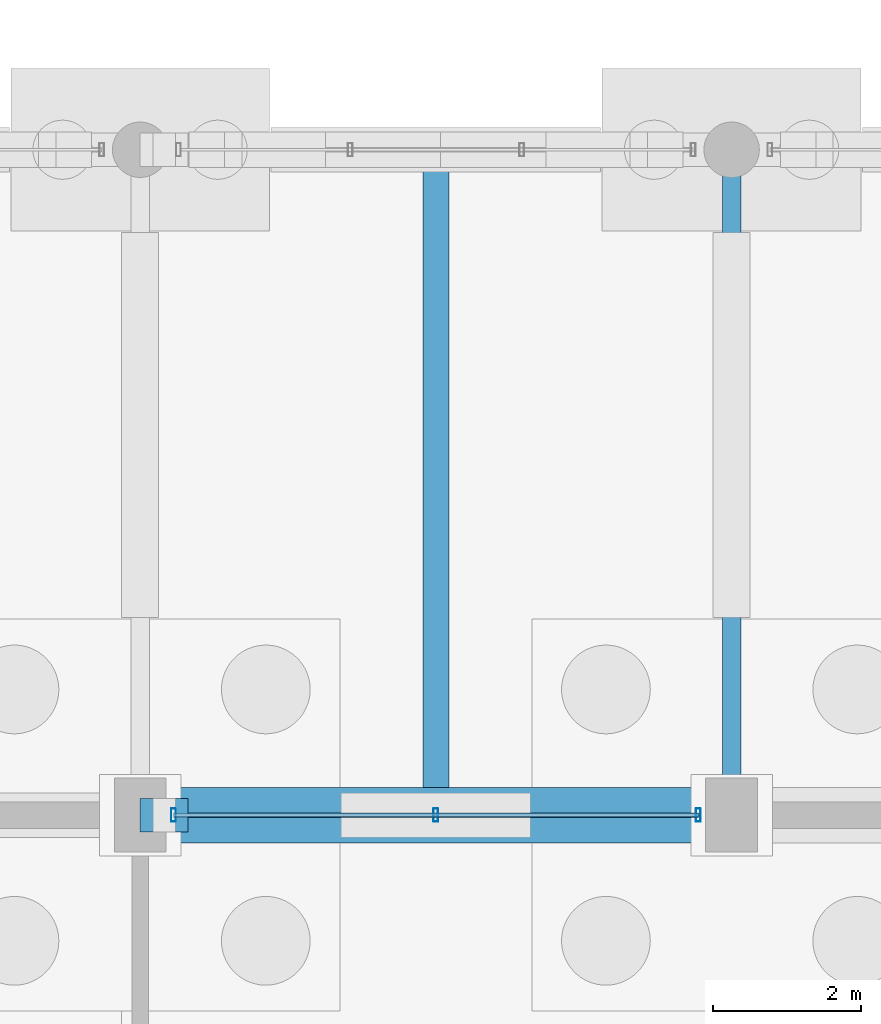
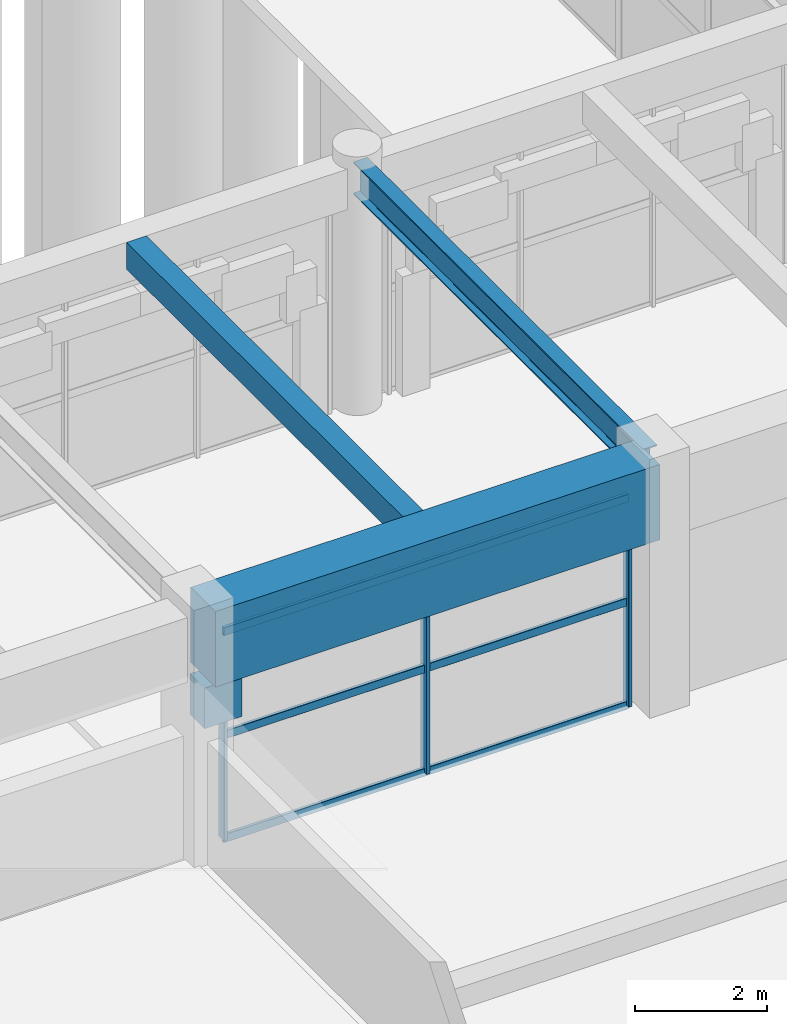
# One storey, part 59 of 147: 6 members, 4 beams, 1 element without a shape of its own.
"""IFC4 building model written with IfcOpenShell, lengths in metres."""

from ifc_helpers import new_model, si_unit, direction, frame, origin, origin_2d, place, context, subcontext, project, spatial, rectangle, hollow_rectangle, i_section, extrude, material, material_profile, profile_set, type_object, element, aggregate, save


model = new_model("IFC4")

# Units and contexts
model_context = context("Model", 3, precision=1e-05, world=origin(), true_north=direction((0.0, 1.0)))
body_context = subcontext(model_context, "Body", "Model", "MODEL_VIEW")
ifc_project = project(units=[si_unit("LENGTHUNIT", "METRE"), si_unit("AREAUNIT", "SQUARE_METRE"), si_unit("VOLUMEUNIT", "CUBIC_METRE"), si_unit("PLANEANGLEUNIT", "RADIAN"), si_unit("MASSUNIT", "GRAM", prefix="KILO")], contexts=[model_context])

# Site, building, storey
site_placement = place(None, origin())
site = spatial("IfcSite", under=ifc_project, at=site_placement, CompositionType="ELEMENT")
building_placement = place(site_placement, origin())
building = spatial("IfcBuilding", under=site, at=building_placement, Name="Varnabhumi Central Station", CompositionType="ELEMENT")
storey_placement = place(building_placement, origin())
storey = spatial("IfcBuildingStorey", under=building, at=storey_placement, Name="L00", CompositionType="ELEMENT", Elevation=0.0)

# Beams
ifc_material_1 = material(Name="Concrete M50", Category="concrete")
ifc_material_profile_1 = material_profile(ifc_material_1, rectangle(XDim=0.75, YDim=1.39990234375, at=origin_2d()), Name="Concrete M50", Category="concrete")
ifc_profile_set_1 = profile_set([ifc_material_profile_1], Name="Concrete M50")
beam_type_1 = type_object("IfcBeamType", Name="BM-RC-1400x750", PredefinedType="BEAM", material=ifc_profile_set_1)
beam_1_placement = place(storey_placement, frame((64.10009765625, 80.0, 3.85009765625), z_axis=(1.0, 0.0, 0.0), x_axis=(0.0, 1.0, 0.0)))
element("IfcBeam", 1, at=beam_1_placement, inside=storey, type_object=beam_type_1, Name="Beam L00-K:9-10", PredefinedType="BEAM", context=body_context, shape_type="SweptSolid", body=[
    extrude(rectangle(XDim=0.75, YDim=1.39990234375, at=origin_2d()), origin(), (0.0, 0.0, 1.0), 7.7998046875),
])
ifc_material_2 = material(Name="Concrete M40", Category="concrete")
ifc_material_profile_2 = material_profile(ifc_material_2, rectangle(XDim=0.35009765625, YDim=0.5, at=origin_2d()), Name="Concrete M40", Category="concrete")
ifc_profile_set_2 = profile_set([ifc_material_profile_2], Name="Concrete M40")
beam_type_2 = type_object("IfcBeamType", Name="BM-RC-350x500", PredefinedType="JOIST", material=ifc_profile_set_2)
beam_2_placement = place(storey_placement, frame((68.0, 80.375, 4.300048828125), z_axis=(0.0, 1.0, 0.0), x_axis=(-1.0, 0.0, 0.0)))
element("IfcBeam", 2, at=beam_2_placement, inside=storey, type_object=beam_type_2, Name="Secondary Joist L00-9/10:K-L", PredefinedType="JOIST", context=body_context, shape_type="SweptSolid", body=[
    extrude(rectangle(XDim=0.35009765625, YDim=0.5, at=origin_2d()), origin(), (0.0, 0.0, 1.0), 8.39990234375),
])
ifc_material_profile_3 = material_profile(ifc_material_2, rectangle(XDim=0.449951171875, YDim=0.75, at=origin_2d()), Name="Concrete M40", Category="concrete")
ifc_profile_set_3 = profile_set([ifc_material_profile_3], Name="Concrete M40")
beam_type_3 = type_object("IfcBeamType", Name="BM-RC-450x750", PredefinedType="BEAM", material=ifc_profile_set_3)
beam_3_placement = place(storey_placement, frame((64.0, 80.0, 2.695068359375), z_axis=(1.0, 0.0, 0.0), x_axis=(0.0, 1.0, 0.0)))
element("IfcBeam", 3, at=beam_3_placement, inside=storey, type_object=beam_type_3, Name="Movement Joint 650mm Corbel Seat L00-K-9", PredefinedType="BEAM", context=body_context, shape_type="SweptSolid", body=[
    extrude(rectangle(XDim=0.449951171875, YDim=0.75, at=origin_2d()), origin(), (0.0, 0.0, 1.0), 0.64990234375),
])
ifc_material_3 = material(Name="Structural steel E350", Category="steel")
ifc_material_profile_4 = material_profile(ifc_material_3, i_section(OverallWidth=0.25, OverallDepth=0.60009765625, WebThickness=0.01171875, FlangeThickness=0.023681640625, FilletRadius=0.01708984375, at=origin_2d()), Name="Structural steel E350", Category="steel")
ifc_profile_set_4 = profile_set([ifc_material_profile_4], Name="Structural steel E350")
beam_type_4 = type_object("IfcBeamType", Name="BM-SEC-ISWB600", PredefinedType="BEAM", material=ifc_profile_set_4)
beam_4_placement = place(storey_placement, frame((72.0, 80.10009765625, 4.25), z_axis=(0.0, 1.0, 0.0), x_axis=(-1.0, 0.0, 0.0)))
element("IfcBeam", 4, at=beam_4_placement, inside=storey, type_object=beam_type_4, Name="Beam L00-10:K-L", PredefinedType="BEAM", context=body_context, shape_type="SweptSolid", body=[
    extrude(i_section(OverallWidth=0.25, OverallDepth=0.60009765625, WebThickness=0.01171875, FlangeThickness=0.023681640625, FilletRadius=0.01708984375, at=origin_2d()), origin(), (0.0, 0.0, 1.0), 8.7998046875),
])

# Curtain wall, members
ifc_material_4 = material(Name="Anodised aluminium 6063-T6", Category="aluminium")
curtain_wall_type = type_object("IfcCurtainWallType", Name="CW-SPINE-SCREEN-L0", PredefinedType="NOTDEFINED", material=ifc_material_4)
curtain_wall_placement = place(storey_placement, origin())
curtain_wall = element("IfcCurtainWall", 5, at=curtain_wall_placement, inside=storey, type_object=curtain_wall_type, Name="Curtain Wall CW-NS008", PredefinedType="NOTDEFINED")
ifc_material_profile_5 = material_profile(ifc_material_4, hollow_rectangle(XDim=0.06494140625, YDim=0.179931640625, WallThickness=0.00390625, InnerFilletRadius=0.001953125, OuterFilletRadius=0.006103515625, at=origin_2d()), Name="Anodised aluminium 6063-T6", Category="aluminium")
ifc_profile_set_5 = profile_set([ifc_material_profile_5], Name="Anodised aluminium 6063-T6")
member_type_1 = type_object("IfcMemberType", Name="CW-MUL-180", PredefinedType="MULLION", material=ifc_profile_set_5)
member_1_placement = place(storey_placement, frame((64.449951171875, 80.0, 0.0), z_axis=(0.0, 0.0, 1.0), x_axis=(1.0, 0.0, 0.0)))
member_1 = element("IfcMember", 6, at=member_1_placement, type_object=member_type_1, Name="Curtain Wall Mullion CW-NS008-M1", PredefinedType="MULLION", context=body_context, shape_type="SweptSolid", body=[
    extrude(hollow_rectangle(XDim=0.06494140625, YDim=0.179931640625, WallThickness=0.00390625, InnerFilletRadius=0.001953125, OuterFilletRadius=0.006103515625, at=origin_2d()), origin(), (0.0, 0.0, 1.0), 3.840087890625),
])
member_2_placement = place(storey_placement, frame((68.0, 80.0, 0.0), z_axis=(0.0, 0.0, 1.0), x_axis=(1.0, 0.0, 0.0)))
member_2 = element("IfcMember", 7, at=member_2_placement, type_object=member_type_1, Name="Curtain Wall Mullion CW-NS008-M2", PredefinedType="MULLION", context=body_context, shape_type="SweptSolid", body=[
    extrude(hollow_rectangle(XDim=0.06494140625, YDim=0.179931640625, WallThickness=0.00390625, InnerFilletRadius=0.001953125, OuterFilletRadius=0.006103515625, at=origin_2d()), origin(), (0.0, 0.0, 1.0), 3.840087890625),
])
member_3_placement = place(storey_placement, frame((71.550048828125, 80.0, 0.0), z_axis=(0.0, 0.0, 1.0), x_axis=(1.0, 0.0, 0.0)))
member_3 = element("IfcMember", 8, at=member_3_placement, type_object=member_type_1, Name="Curtain Wall Mullion CW-NS008-M3", PredefinedType="MULLION", context=body_context, shape_type="SweptSolid", body=[
    extrude(hollow_rectangle(XDim=0.06494140625, YDim=0.179931640625, WallThickness=0.00390625, InnerFilletRadius=0.001953125, OuterFilletRadius=0.006103515625, at=origin_2d()), origin(), (0.0, 0.0, 1.0), 3.840087890625),
])
ifc_material_profile_6 = material_profile(ifc_material_4, hollow_rectangle(XDim=0.06005859375, YDim=0.14990234375, WallThickness=0.00390625, InnerFilletRadius=0.001953125, OuterFilletRadius=0.006103515625, at=origin_2d()), Name="Anodised aluminium 6063-T6", Category="aluminium")
ifc_profile_set_6 = profile_set([ifc_material_profile_6], Name="Anodised aluminium 6063-T6")
member_type_2 = type_object("IfcMemberType", Name="CW-TR-150", PredefinedType="USERDEFINED", material=ifc_profile_set_6)
member_4_placement = place(storey_placement, frame((64.449951171875, 80.0, 0.0), z_axis=(1.0, 0.0, 0.0), x_axis=(0.0, 1.0, 0.0)))
member_4 = element("IfcMember", 9, at=member_4_placement, type_object=member_type_2, Name="Curtain Wall Transom CW-NS008-T1", ObjectType="TRANSOM", PredefinedType="USERDEFINED", context=body_context, shape_type="SweptSolid", body=[
    extrude(hollow_rectangle(XDim=0.06005859375, YDim=0.14990234375, WallThickness=0.00390625, InnerFilletRadius=0.001953125, OuterFilletRadius=0.006103515625, at=origin_2d()), origin(), (0.0, 0.0, 1.0), 7.10009765625),
])
member_5_placement = place(storey_placement, frame((64.449951171875, 80.0, 1.919921875), z_axis=(1.0, 0.0, 0.0), x_axis=(0.0, 1.0, 0.0)))
member_5 = element("IfcMember", 10, at=member_5_placement, type_object=member_type_2, Name="Curtain Wall Transom CW-NS008-T2", ObjectType="TRANSOM", PredefinedType="USERDEFINED", context=body_context, shape_type="SweptSolid", body=[
    extrude(hollow_rectangle(XDim=0.06005859375, YDim=0.14990234375, WallThickness=0.00390625, InnerFilletRadius=0.001953125, OuterFilletRadius=0.006103515625, at=origin_2d()), origin(), (0.0, 0.0, 1.0), 7.10009765625),
])
member_6_placement = place(storey_placement, frame((64.449951171875, 80.0, 3.840087890625), z_axis=(1.0, 0.0, 0.0), x_axis=(0.0, 1.0, 0.0)))
member_6 = element("IfcMember", 11, at=member_6_placement, type_object=member_type_2, Name="Curtain Wall Transom CW-NS008-T3", ObjectType="TRANSOM", PredefinedType="USERDEFINED", context=body_context, shape_type="SweptSolid", body=[
    extrude(hollow_rectangle(XDim=0.06005859375, YDim=0.14990234375, WallThickness=0.00390625, InnerFilletRadius=0.001953125, OuterFilletRadius=0.006103515625, at=origin_2d()), origin(), (0.0, 0.0, 1.0), 7.10009765625),
])
aggregate(curtain_wall, [member_1, member_2, member_3, member_4, member_5, member_6])

save(model, "model.ifc")
